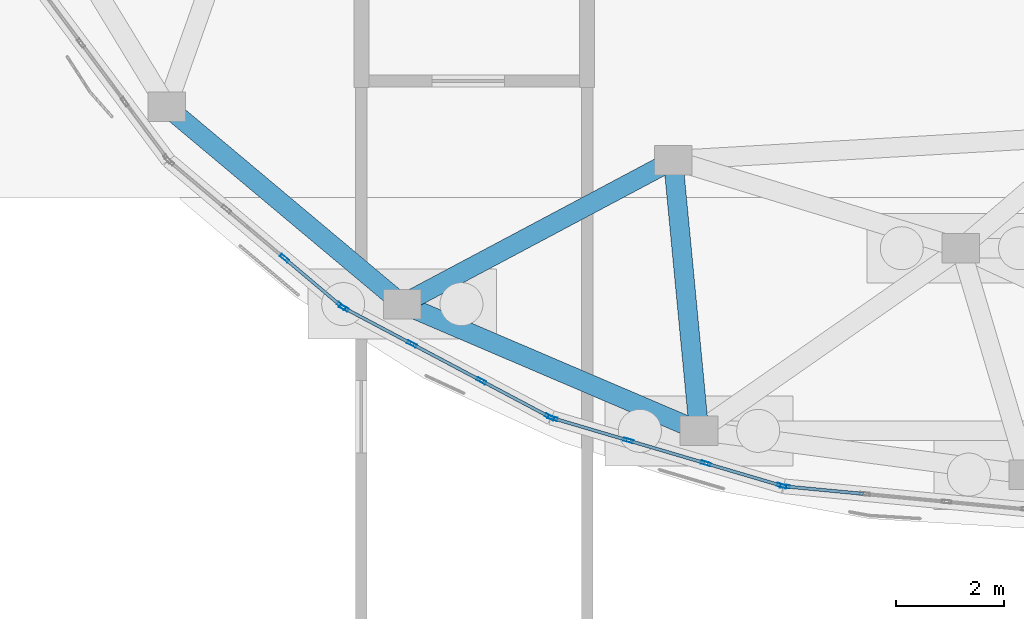
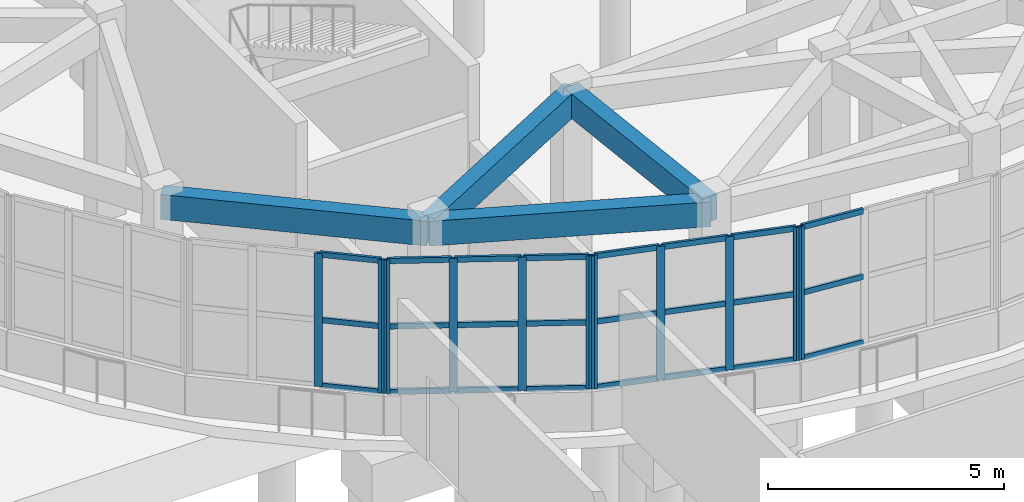
# One storey, part 8 of 96: 35 members, 4 beams, 4 elements without a shape of their own.
"""IFC4 building model written with IfcOpenShell, lengths in metres."""

from ifc_helpers import new_model, si_unit, direction, frame, origin, origin_2d, place, context, subcontext, project, spatial, rectangle, hollow_rectangle, extrude, material, layer, layer_set, material_profile, profile_set, type_object, element, aggregate, save


model = new_model("IFC4")

# Units and contexts
model_context = context("Model", 3, precision=1e-05, world=origin(), true_north=direction((0.0, 1.0)))
body_context = subcontext(model_context, "Body", "Model", "MODEL_VIEW")
ifc_project = project(units=[si_unit("LENGTHUNIT", "METRE"), si_unit("AREAUNIT", "SQUARE_METRE"), si_unit("VOLUMEUNIT", "CUBIC_METRE"), si_unit("PLANEANGLEUNIT", "RADIAN"), si_unit("MASSUNIT", "GRAM", prefix="KILO")], contexts=[model_context])

# Site, building, storey
site_placement = place(None, origin())
site = spatial("IfcSite", under=ifc_project, at=site_placement, CompositionType="ELEMENT")
building_placement = place(site_placement, origin())
building = spatial("IfcBuilding", under=site, at=building_placement, Name="Pelvatis Terrace Science Centre", CompositionType="ELEMENT")
storey_placement = place(building_placement, origin())
storey = spatial("IfcBuildingStorey", under=building, at=storey_placement, Name="L00", CompositionType="ELEMENT", Elevation=0.0)

# Curtain wall, members
ifc_material_1 = material(Name="Bronze-anodised aluminium and laminated glass", Category="aluminium")
ifc_layer = layer(ifc_material_1, 0.179931640625)
ifc_layer_set = layer_set([ifc_layer], Name="Bronze-anodised aluminium and laminated glass")
curtain_wall_type = type_object("IfcCurtainWallType", Name="CW-RIBBON-A", PredefinedType="NOTDEFINED", material=ifc_layer_set)
curtain_wall_1_placement = place(storey_placement, origin())
curtain_wall_1 = element("IfcCurtainWall", 1, at=curtain_wall_1_placement, inside=storey, type_object=curtain_wall_type, Name="Ribbon curtain wall CW-011 (L00)", PredefinedType="NOTDEFINED")
ifc_material_2 = material(Name="Bronze-anodised aluminium 6063-T6", Category="aluminium")
ifc_material_profile_1 = material_profile(ifc_material_2, hollow_rectangle(XDim=0.06005859375, YDim=0.179931640625, WallThickness=0.00390625, at=origin_2d()), Name="ALU-MUL 60x180")
ifc_profile_set_1 = profile_set([ifc_material_profile_1], Name="Bronze-anodised aluminium 6063-T6")
member_type_1 = type_object("IfcMemberType", Name="CWM-60x180", PredefinedType="MULLION", material=ifc_profile_set_1)
member_1_placement = place(storey_placement, frame((31.770263671875, 21.623779296875, 1.02001953125), z_axis=(0.0, 0.0, 1.0), x_axis=(0.64476794595, 0.764378372192, 0.0)))
member_1 = element("IfcMember", 2, at=member_1_placement, type_object=member_type_1, Name="CW-011 mullion 3", PredefinedType="MULLION", context=body_context, shape_type="SweptSolid", body=[
    extrude(hollow_rectangle(XDim=0.06005859375, YDim=0.179931640625, WallThickness=0.00390625, at=origin_2d()), origin(), (0.0, 0.0, 1.0), 3.43994140625),
])
member_2_placement = place(storey_placement, frame((32.82666015625, 20.732666015625, 1.02001953125), z_axis=(0.0, 0.0, 1.0), x_axis=(0.64476794595, 0.764378372192, 0.0)))
member_2 = element("IfcMember", 3, at=member_2_placement, type_object=member_type_1, Name="CW-011 mullion 4", PredefinedType="MULLION", context=body_context, shape_type="SweptSolid", body=[
    extrude(hollow_rectangle(XDim=0.06005859375, YDim=0.179931640625, WallThickness=0.00390625, at=origin_2d()), origin(), (0.0, 0.0, 1.0), 3.43994140625),
])

curtain_wall_2_placement = place(storey_placement, origin())
curtain_wall_2 = element("IfcCurtainWall", 4, at=curtain_wall_2_placement, inside=storey, type_object=curtain_wall_type, Name="Ribbon curtain wall CW-012 (L00)", PredefinedType="NOTDEFINED")
member_3_placement = place(storey_placement, frame((32.876220703125, 20.699462890625, 1.02001953125), z_axis=(0.0, 0.0, 1.0), x_axis=(0.468298084466, 0.88357054279, 0.0)))
member_3 = element("IfcMember", 5, at=member_3_placement, type_object=member_type_1, Name="CW-012 mullion 1", PredefinedType="MULLION", context=body_context, shape_type="SweptSolid", body=[
    extrude(hollow_rectangle(XDim=0.06005859375, YDim=0.179931640625, WallThickness=0.00390625, at=origin_2d()), origin(), (0.0, 0.0, 1.0), 3.43994140625),
])
member_4_placement = place(storey_placement, frame((34.14208984375, 20.0283203125, 1.02001953125), z_axis=(0.0, 0.0, 1.0), x_axis=(0.468298084466, 0.88357054279, 0.0)))
member_4 = element("IfcMember", 6, at=member_4_placement, type_object=member_type_1, Name="CW-012 mullion 2", PredefinedType="MULLION", context=body_context, shape_type="SweptSolid", body=[
    extrude(hollow_rectangle(XDim=0.06005859375, YDim=0.179931640625, WallThickness=0.00390625, at=origin_2d()), origin(), (0.0, 0.0, 1.0), 3.43994140625),
])
member_5_placement = place(storey_placement, frame((35.4345703125, 19.34326171875, 1.02001953125), z_axis=(0.0, 0.0, 1.0), x_axis=(0.468298084466, 0.88357054279, 0.0)))
member_5 = element("IfcMember", 7, at=member_5_placement, type_object=member_type_1, Name="CW-012 mullion 3", PredefinedType="MULLION", context=body_context, shape_type="SweptSolid", body=[
    extrude(hollow_rectangle(XDim=0.06005859375, YDim=0.179931640625, WallThickness=0.00390625, at=origin_2d()), origin(), (0.0, 0.0, 1.0), 3.43994140625),
])
member_6_placement = place(storey_placement, frame((36.70068359375, 18.67236328125, 1.02001953125), z_axis=(0.0, 0.0, 1.0), x_axis=(0.468298084466, 0.88357054279, 0.0)))
member_6 = element("IfcMember", 8, at=member_6_placement, type_object=member_type_1, Name="CW-012 mullion 4", PredefinedType="MULLION", context=body_context, shape_type="SweptSolid", body=[
    extrude(hollow_rectangle(XDim=0.06005859375, YDim=0.179931640625, WallThickness=0.00390625, at=origin_2d()), origin(), (0.0, 0.0, 1.0), 3.43994140625),
])

curtain_wall_3_placement = place(storey_placement, origin())
curtain_wall_3 = element("IfcCurtainWall", 9, at=curtain_wall_3_placement, inside=storey, type_object=curtain_wall_type, Name="Ribbon curtain wall CW-013 (L00)", PredefinedType="NOTDEFINED")
member_7_placement = place(storey_placement, frame((36.755859375, 18.64990234375, 1.02001953125), z_axis=(0.0, 0.0, 1.0), x_axis=(0.283092423463, 0.959092633575, 0.0)))
member_7 = element("IfcMember", 10, at=member_7_placement, type_object=member_type_1, Name="CW-013 mullion 1", PredefinedType="MULLION", context=body_context, shape_type="SweptSolid", body=[
    extrude(hollow_rectangle(XDim=0.06005859375, YDim=0.179931640625, WallThickness=0.00390625, at=origin_2d()), origin(), (0.0, 0.0, 1.0), 3.43994140625),
])
member_8_placement = place(storey_placement, frame((38.16796875, 18.233154296875, 1.02001953125), z_axis=(0.0, 0.0, 1.0), x_axis=(0.283092423463, 0.959092633575, 0.0)))
member_8 = element("IfcMember", 11, at=member_8_placement, type_object=member_type_1, Name="CW-013 mullion 2", PredefinedType="MULLION", context=body_context, shape_type="SweptSolid", body=[
    extrude(hollow_rectangle(XDim=0.06005859375, YDim=0.179931640625, WallThickness=0.00390625, at=origin_2d()), origin(), (0.0, 0.0, 1.0), 3.43994140625),
])
member_9_placement = place(storey_placement, frame((39.608642578125, 17.807861328125, 1.02001953125), z_axis=(0.0, 0.0, 1.0), x_axis=(0.283092423463, 0.959092633575, 0.0)))
member_9 = element("IfcMember", 12, at=member_9_placement, type_object=member_type_1, Name="CW-013 mullion 3", PredefinedType="MULLION", context=body_context, shape_type="SweptSolid", body=[
    extrude(hollow_rectangle(XDim=0.06005859375, YDim=0.179931640625, WallThickness=0.00390625, at=origin_2d()), origin(), (0.0, 0.0, 1.0), 3.43994140625),
])
member_10_placement = place(storey_placement, frame((41.0205078125, 17.39111328125, 1.02001953125), z_axis=(0.0, 0.0, 1.0), x_axis=(0.283092423463, 0.959092633575, 0.0)))
member_10 = element("IfcMember", 13, at=member_10_placement, type_object=member_type_1, Name="CW-013 mullion 4", PredefinedType="MULLION", context=body_context, shape_type="SweptSolid", body=[
    extrude(hollow_rectangle(XDim=0.06005859375, YDim=0.179931640625, WallThickness=0.00390625, at=origin_2d()), origin(), (0.0, 0.0, 1.0), 3.43994140625),
])

# Curtain wall, member
curtain_wall_4_placement = place(storey_placement, origin())
curtain_wall_4 = element("IfcCurtainWall", 14, at=curtain_wall_4_placement, inside=storey, type_object=curtain_wall_type, Name="Ribbon curtain wall CW-014 (L00)", PredefinedType="NOTDEFINED")
member_11_placement = place(storey_placement, frame((41.079345703125, 17.379638671875, 1.02001953125), z_axis=(0.0, 0.0, 1.0), x_axis=(0.094616036521, 0.995513840001, 0.0)))
member_11 = element("IfcMember", 15, at=member_11_placement, type_object=member_type_1, Name="CW-014 mullion 1", PredefinedType="MULLION", context=body_context, shape_type="SweptSolid", body=[
    extrude(hollow_rectangle(XDim=0.06005859375, YDim=0.179931640625, WallThickness=0.00390625, at=origin_2d()), origin(), (0.0, 0.0, 1.0), 3.43994140625),
])

# Member
ifc_material_3 = material(Name="Bronze-anodised aluminium 6063-T6", Category="aluminium")
ifc_material_profile_2 = material_profile(ifc_material_3, hollow_rectangle(XDim=0.06005859375, YDim=0.139892578125, WallThickness=0.00390625, at=origin_2d()), Name="ALU-TRN 60x140")
ifc_profile_set_2 = profile_set([ifc_material_profile_2], Name="Bronze-anodised aluminium 6063-T6")
member_type_2 = type_object("IfcMemberType", Name="CWT-60x140", PredefinedType="USERDEFINED", material=ifc_profile_set_2)
member_12_placement = place(storey_placement, frame((31.793212890625, 21.6044921875, 1.050048828125), z_axis=(0.764408097056, -0.6447327052, 0.0), x_axis=(0.6447327052, 0.764408097056, 0.0)))
member_12 = element("IfcMember", 16, at=member_12_placement, type_object=member_type_2, Name="CW-011 transom 3.1", ObjectType="TRANSOM", PredefinedType="USERDEFINED", context=body_context, shape_type="SweptSolid", body=[
    extrude(hollow_rectangle(XDim=0.06005859375, YDim=0.139892578125, WallThickness=0.00390625, at=origin_2d()), origin(), (0.0, 0.0, 1.0), 1.322021484375),
])

member_13_placement = place(storey_placement, frame((31.793212890625, 21.6044921875, 2.739990234375), z_axis=(0.764408097056, -0.6447327052, 0.0), x_axis=(0.6447327052, 0.764408097056, 0.0)))
member_13 = element("IfcMember", 17, at=member_13_placement, type_object=member_type_2, Name="CW-011 transom 3.2", ObjectType="TRANSOM", PredefinedType="USERDEFINED", context=body_context, shape_type="SweptSolid", body=[
    extrude(hollow_rectangle(XDim=0.06005859375, YDim=0.139892578125, WallThickness=0.00390625, at=origin_2d()), origin(), (0.0, 0.0, 1.0), 1.322021484375),
])

member_14_placement = place(storey_placement, frame((31.793212890625, 21.6044921875, 4.429931640625), z_axis=(0.764408097056, -0.6447327052, 0.0), x_axis=(0.6447327052, 0.764408097056, 0.0)))
member_14 = element("IfcMember", 18, at=member_14_placement, type_object=member_type_2, Name="CW-011 transom 3.3", ObjectType="TRANSOM", PredefinedType="USERDEFINED", context=body_context, shape_type="SweptSolid", body=[
    extrude(hollow_rectangle(XDim=0.06005859375, YDim=0.139892578125, WallThickness=0.00390625, at=origin_2d()), origin(), (0.0, 0.0, 1.0), 1.322021484375),
])

aggregate(curtain_wall_1, [member_1, member_2, member_12, member_13, member_14])

member_15_placement = place(storey_placement, frame((32.902587890625, 20.685302734375, 1.050048828125), z_axis=(0.88357584358, -0.46828808296, 0.0), x_axis=(0.46828808296, 0.88357584358, 0.0)))
member_15 = element("IfcMember", 19, at=member_15_placement, type_object=member_type_2, Name="CW-012 transom 1.1", ObjectType="TRANSOM", PredefinedType="USERDEFINED", context=body_context, shape_type="SweptSolid", body=[
    extrude(hollow_rectangle(XDim=0.06005859375, YDim=0.139892578125, WallThickness=0.00390625, at=origin_2d()), origin(), (0.0, 0.0, 1.0), 1.372802734375),
])

member_16_placement = place(storey_placement, frame((32.902587890625, 20.685302734375, 2.739990234375), z_axis=(0.88357584358, -0.46828808296, 0.0), x_axis=(0.46828808296, 0.88357584358, 0.0)))
member_16 = element("IfcMember", 20, at=member_16_placement, type_object=member_type_2, Name="CW-012 transom 1.2", ObjectType="TRANSOM", PredefinedType="USERDEFINED", context=body_context, shape_type="SweptSolid", body=[
    extrude(hollow_rectangle(XDim=0.06005859375, YDim=0.139892578125, WallThickness=0.00390625, at=origin_2d()), origin(), (0.0, 0.0, 1.0), 1.372802734375),
])

member_17_placement = place(storey_placement, frame((32.902587890625, 20.685302734375, 4.429931640625), z_axis=(0.88357584358, -0.46828808296, 0.0), x_axis=(0.46828808296, 0.88357584358, 0.0)))
member_17 = element("IfcMember", 21, at=member_17_placement, type_object=member_type_2, Name="CW-012 transom 1.3", ObjectType="TRANSOM", PredefinedType="USERDEFINED", context=body_context, shape_type="SweptSolid", body=[
    extrude(hollow_rectangle(XDim=0.06005859375, YDim=0.139892578125, WallThickness=0.00390625, at=origin_2d()), origin(), (0.0, 0.0, 1.0), 1.372802734375),
])

member_18_placement = place(storey_placement, frame((34.168701171875, 20.014404296875, 1.050048828125), z_axis=(0.883559217808, -0.468319451472, 0.0), x_axis=(0.468319451472, 0.883559217808, 0.0)))
member_18 = element("IfcMember", 22, at=member_18_placement, type_object=member_type_2, Name="CW-012 transom 2.1", ObjectType="TRANSOM", PredefinedType="USERDEFINED", context=body_context, shape_type="SweptSolid", body=[
    extrude(hollow_rectangle(XDim=0.06005859375, YDim=0.139892578125, WallThickness=0.00390625, at=origin_2d()), origin(), (0.0, 0.0, 1.0), 1.40283203125),
])

member_19_placement = place(storey_placement, frame((34.168701171875, 20.014404296875, 2.739990234375), z_axis=(0.883559217808, -0.468319451472, 0.0), x_axis=(0.468319451472, 0.883559217808, 0.0)))
member_19 = element("IfcMember", 23, at=member_19_placement, type_object=member_type_2, Name="CW-012 transom 2.2", ObjectType="TRANSOM", PredefinedType="USERDEFINED", context=body_context, shape_type="SweptSolid", body=[
    extrude(hollow_rectangle(XDim=0.06005859375, YDim=0.139892578125, WallThickness=0.00390625, at=origin_2d()), origin(), (0.0, 0.0, 1.0), 1.40283203125),
])

member_20_placement = place(storey_placement, frame((34.168701171875, 20.014404296875, 4.429931640625), z_axis=(0.883559217808, -0.468319451472, 0.0), x_axis=(0.468319451472, 0.883559217808, 0.0)))
member_20 = element("IfcMember", 24, at=member_20_placement, type_object=member_type_2, Name="CW-012 transom 2.3", ObjectType="TRANSOM", PredefinedType="USERDEFINED", context=body_context, shape_type="SweptSolid", body=[
    extrude(hollow_rectangle(XDim=0.06005859375, YDim=0.139892578125, WallThickness=0.00390625, at=origin_2d()), origin(), (0.0, 0.0, 1.0), 1.40283203125),
])

member_21_placement = place(storey_placement, frame((35.461181640625, 19.329345703125, 1.050048828125), z_axis=(0.883502248736, -0.468426916902, 0.0), x_axis=(0.468426916902, 0.883502248736, 0.0)))
member_21 = element("IfcMember", 25, at=member_21_placement, type_object=member_type_2, Name="CW-012 transom 3.1", ObjectType="TRANSOM", PredefinedType="USERDEFINED", context=body_context, shape_type="SweptSolid", body=[
    extrude(hollow_rectangle(XDim=0.06005859375, YDim=0.139892578125, WallThickness=0.00390625, at=origin_2d()), origin(), (0.0, 0.0, 1.0), 1.372802734375),
])

member_22_placement = place(storey_placement, frame((35.461181640625, 19.329345703125, 2.739990234375), z_axis=(0.883502248736, -0.468426916902, 0.0), x_axis=(0.468426916902, 0.883502248736, 0.0)))
member_22 = element("IfcMember", 26, at=member_22_placement, type_object=member_type_2, Name="CW-012 transom 3.2", ObjectType="TRANSOM", PredefinedType="USERDEFINED", context=body_context, shape_type="SweptSolid", body=[
    extrude(hollow_rectangle(XDim=0.06005859375, YDim=0.139892578125, WallThickness=0.00390625, at=origin_2d()), origin(), (0.0, 0.0, 1.0), 1.372802734375),
])

member_23_placement = place(storey_placement, frame((35.461181640625, 19.329345703125, 4.429931640625), z_axis=(0.883502248736, -0.468426916902, 0.0), x_axis=(0.468426916902, 0.883502248736, 0.0)))
member_23 = element("IfcMember", 27, at=member_23_placement, type_object=member_type_2, Name="CW-012 transom 3.3", ObjectType="TRANSOM", PredefinedType="USERDEFINED", context=body_context, shape_type="SweptSolid", body=[
    extrude(hollow_rectangle(XDim=0.06005859375, YDim=0.139892578125, WallThickness=0.00390625, at=origin_2d()), origin(), (0.0, 0.0, 1.0), 1.372802734375),
])

aggregate(curtain_wall_2, [member_3, member_4, member_5, member_6, member_15, member_16, member_17, member_18, member_19, member_20, member_21, member_22, member_23])

member_24_placement = place(storey_placement, frame((36.78466796875, 18.641357421875, 1.050048828125), z_axis=(0.959073204595, -0.283158238848, 0.0), x_axis=(0.283158238848, 0.959073204595, 0.0)))
member_24 = element("IfcMember", 28, at=member_24_placement, type_object=member_type_2, Name="CW-013 transom 1.1", ObjectType="TRANSOM", PredefinedType="USERDEFINED", context=body_context, shape_type="SweptSolid", body=[
    extrude(hollow_rectangle(XDim=0.06005859375, YDim=0.139892578125, WallThickness=0.00390625, at=origin_2d()), origin(), (0.0, 0.0, 1.0), 1.412353515625),
])

member_25_placement = place(storey_placement, frame((36.78466796875, 18.641357421875, 2.739990234375), z_axis=(0.959073204595, -0.283158238848, 0.0), x_axis=(0.283158238848, 0.959073204595, 0.0)))
member_25 = element("IfcMember", 29, at=member_25_placement, type_object=member_type_2, Name="CW-013 transom 1.2", ObjectType="TRANSOM", PredefinedType="USERDEFINED", context=body_context, shape_type="SweptSolid", body=[
    extrude(hollow_rectangle(XDim=0.06005859375, YDim=0.139892578125, WallThickness=0.00390625, at=origin_2d()), origin(), (0.0, 0.0, 1.0), 1.412353515625),
])

member_26_placement = place(storey_placement, frame((36.78466796875, 18.641357421875, 4.429931640625), z_axis=(0.959073204595, -0.283158238848, 0.0), x_axis=(0.283158238848, 0.959073204595, 0.0)))
member_26 = element("IfcMember", 30, at=member_26_placement, type_object=member_type_2, Name="CW-013 transom 1.3", ObjectType="TRANSOM", PredefinedType="USERDEFINED", context=body_context, shape_type="SweptSolid", body=[
    extrude(hollow_rectangle(XDim=0.06005859375, YDim=0.139892578125, WallThickness=0.00390625, at=origin_2d()), origin(), (0.0, 0.0, 1.0), 1.412353515625),
])

member_27_placement = place(storey_placement, frame((38.196533203125, 18.224609375, 1.050048828125), z_axis=(0.959065780498, -0.283183383476, 0.0), x_axis=(0.283183383476, 0.959065780498, 0.0)))
member_27 = element("IfcMember", 31, at=member_27_placement, type_object=member_type_2, Name="CW-013 transom 2.1", ObjectType="TRANSOM", PredefinedType="USERDEFINED", context=body_context, shape_type="SweptSolid", body=[
    extrude(hollow_rectangle(XDim=0.06005859375, YDim=0.139892578125, WallThickness=0.00390625, at=origin_2d()), origin(), (0.0, 0.0, 1.0), 1.4423828125),
])

member_28_placement = place(storey_placement, frame((38.196533203125, 18.224609375, 2.739990234375), z_axis=(0.959065780498, -0.283183383476, 0.0), x_axis=(0.283183383476, 0.959065780498, 0.0)))
member_28 = element("IfcMember", 32, at=member_28_placement, type_object=member_type_2, Name="CW-013 transom 2.2", ObjectType="TRANSOM", PredefinedType="USERDEFINED", context=body_context, shape_type="SweptSolid", body=[
    extrude(hollow_rectangle(XDim=0.06005859375, YDim=0.139892578125, WallThickness=0.00390625, at=origin_2d()), origin(), (0.0, 0.0, 1.0), 1.4423828125),
])

member_29_placement = place(storey_placement, frame((38.196533203125, 18.224609375, 4.429931640625), z_axis=(0.959065780498, -0.283183383476, 0.0), x_axis=(0.283183383476, 0.959065780498, 0.0)))
member_29 = element("IfcMember", 33, at=member_29_placement, type_object=member_type_2, Name="CW-013 transom 2.3", ObjectType="TRANSOM", PredefinedType="USERDEFINED", context=body_context, shape_type="SweptSolid", body=[
    extrude(hollow_rectangle(XDim=0.06005859375, YDim=0.139892578125, WallThickness=0.00390625, at=origin_2d()), origin(), (0.0, 0.0, 1.0), 1.4423828125),
])

member_30_placement = place(storey_placement, frame((39.637451171875, 17.79931640625, 1.050048828125), z_axis=(0.959073204595, -0.283158238848, 0.0), x_axis=(0.283158238848, 0.959073204595, 0.0)))
member_30 = element("IfcMember", 34, at=member_30_placement, type_object=member_type_2, Name="CW-013 transom 3.1", ObjectType="TRANSOM", PredefinedType="USERDEFINED", context=body_context, shape_type="SweptSolid", body=[
    extrude(hollow_rectangle(XDim=0.06005859375, YDim=0.139892578125, WallThickness=0.00390625, at=origin_2d()), origin(), (0.0, 0.0, 1.0), 1.412353515625),
])

member_31_placement = place(storey_placement, frame((39.637451171875, 17.79931640625, 2.739990234375), z_axis=(0.959073204595, -0.283158238848, 0.0), x_axis=(0.283158238848, 0.959073204595, 0.0)))
member_31 = element("IfcMember", 35, at=member_31_placement, type_object=member_type_2, Name="CW-013 transom 3.2", ObjectType="TRANSOM", PredefinedType="USERDEFINED", context=body_context, shape_type="SweptSolid", body=[
    extrude(hollow_rectangle(XDim=0.06005859375, YDim=0.139892578125, WallThickness=0.00390625, at=origin_2d()), origin(), (0.0, 0.0, 1.0), 1.412353515625),
])

member_32_placement = place(storey_placement, frame((39.637451171875, 17.79931640625, 4.429931640625), z_axis=(0.959073204595, -0.283158238848, 0.0), x_axis=(0.283158238848, 0.959073204595, 0.0)))
member_32 = element("IfcMember", 36, at=member_32_placement, type_object=member_type_2, Name="CW-013 transom 3.3", ObjectType="TRANSOM", PredefinedType="USERDEFINED", context=body_context, shape_type="SweptSolid", body=[
    extrude(hollow_rectangle(XDim=0.06005859375, YDim=0.139892578125, WallThickness=0.00390625, at=origin_2d()), origin(), (0.0, 0.0, 1.0), 1.412353515625),
])

aggregate(curtain_wall_3, [member_7, member_8, member_9, member_10, member_24, member_25, member_26, member_27, member_28, member_29, member_30, member_31, member_32])

member_33_placement = place(storey_placement, frame((41.109130859375, 17.376708984375, 1.050048828125), z_axis=(0.995523746315, -0.094511748068, 0.0), x_axis=(0.094511748068, 0.995523746315, 0.0)))
member_33 = element("IfcMember", 37, at=member_33_placement, type_object=member_type_2, Name="CW-014 transom 1.1", ObjectType="TRANSOM", PredefinedType="USERDEFINED", context=body_context, shape_type="SweptSolid", body=[
    extrude(hollow_rectangle(XDim=0.06005859375, YDim=0.139892578125, WallThickness=0.00390625, at=origin_2d()), origin(), (0.0, 0.0, 1.0), 1.43359375),
])

member_34_placement = place(storey_placement, frame((41.109130859375, 17.376708984375, 2.739990234375), z_axis=(0.995523746315, -0.094511748068, 0.0), x_axis=(0.094511748068, 0.995523746315, 0.0)))
member_34 = element("IfcMember", 38, at=member_34_placement, type_object=member_type_2, Name="CW-014 transom 1.2", ObjectType="TRANSOM", PredefinedType="USERDEFINED", context=body_context, shape_type="SweptSolid", body=[
    extrude(hollow_rectangle(XDim=0.06005859375, YDim=0.139892578125, WallThickness=0.00390625, at=origin_2d()), origin(), (0.0, 0.0, 1.0), 1.43359375),
])

member_35_placement = place(storey_placement, frame((41.109130859375, 17.376708984375, 4.429931640625), z_axis=(0.995523746315, -0.094511748068, 0.0), x_axis=(0.094511748068, 0.995523746315, 0.0)))
member_35 = element("IfcMember", 39, at=member_35_placement, type_object=member_type_2, Name="CW-014 transom 1.3", ObjectType="TRANSOM", PredefinedType="USERDEFINED", context=body_context, shape_type="SweptSolid", body=[
    extrude(hollow_rectangle(XDim=0.06005859375, YDim=0.139892578125, WallThickness=0.00390625, at=origin_2d()), origin(), (0.0, 0.0, 1.0), 1.43359375),
])

aggregate(curtain_wall_4, [member_11, member_33, member_34, member_35])

# Beams
ifc_material_4 = material(Name="Concrete C35/45", Category="concrete")
ifc_material_profile_3 = material_profile(ifc_material_4, rectangle(XDim=0.360107421875, YDim=0.639892578125, at=origin_2d()), Name="RC-SPN 360x640")
ifc_profile_set_3 = profile_set([ifc_material_profile_3], Name="Concrete C35/45")
beam_type = type_object("IfcBeamType", Name="SPN-RC-360x640", PredefinedType="SPANDREL", material=ifc_profile_set_3)
beam_1_placement = place(storey_placement, frame((39.0, 23.44873046875, 4.820068359375), z_axis=(-0.882971639274, -0.469426335262, 0.0), x_axis=(0.469426335262, -0.882971639274, 0.0)))
element("IfcBeam", 40, at=beam_1_placement, inside=storey, type_object=beam_type, Name="Spandrel SP-L00-2345", PredefinedType="SPANDREL", context=body_context, shape_type="SweptSolid", body=[
    extrude(rectangle(XDim=0.360107421875, YDim=0.639892578125, at=origin_2d()), origin(), (0.0, 0.0, 1.0), 5.705810546875),
])
beam_2_placement = place(storey_placement, frame((39.0, 23.44873046875, 4.820068359375), z_axis=(0.095164350639, -0.995461574531, 0.0), x_axis=(0.995461574531, 0.095164350639, 0.0)))
element("IfcBeam", 41, at=beam_2_placement, inside=storey, type_object=beam_type, Name="Spandrel SP-L00-2346", PredefinedType="SPANDREL", context=body_context, shape_type="SweptSolid", body=[
    extrude(rectangle(XDim=0.360107421875, YDim=0.639892578125, at=origin_2d()), origin(), (0.0, 0.0, 1.0), 5.05908203125),
])
beam_3_placement = place(storey_placement, frame((29.58154296875, 24.44287109375, 4.820068359375), z_axis=(0.766299389603, -0.642483653873, 0.0), x_axis=(0.642483653873, 0.766299389603, 0.0)))
element("IfcBeam", 42, at=beam_3_placement, inside=storey, type_object=beam_type, Name="Spandrel SP-L00-2379", PredefinedType="SPANDREL", context=body_context, shape_type="SweptSolid", body=[
    extrude(rectangle(XDim=0.360107421875, YDim=0.639892578125, at=origin_2d()), origin(), (0.0, 0.0, 1.0), 5.71630859375),
])
beam_4_placement = place(storey_placement, frame((33.9619140625, 20.770263671875, 4.820068359375), z_axis=(0.919617758379, -0.39281443262, 0.0), x_axis=(0.39281443262, 0.919617758379, 0.0)))
element("IfcBeam", 43, at=beam_4_placement, inside=storey, type_object=beam_type, Name="Spandrel SP-L00-2380", PredefinedType="SPANDREL", context=body_context, shape_type="SweptSolid", body=[
    extrude(rectangle(XDim=0.360107421875, YDim=0.639892578125, at=origin_2d()), origin(), (0.0, 0.0, 1.0), 6.001953125),
])

save(model, "model.ifc")
